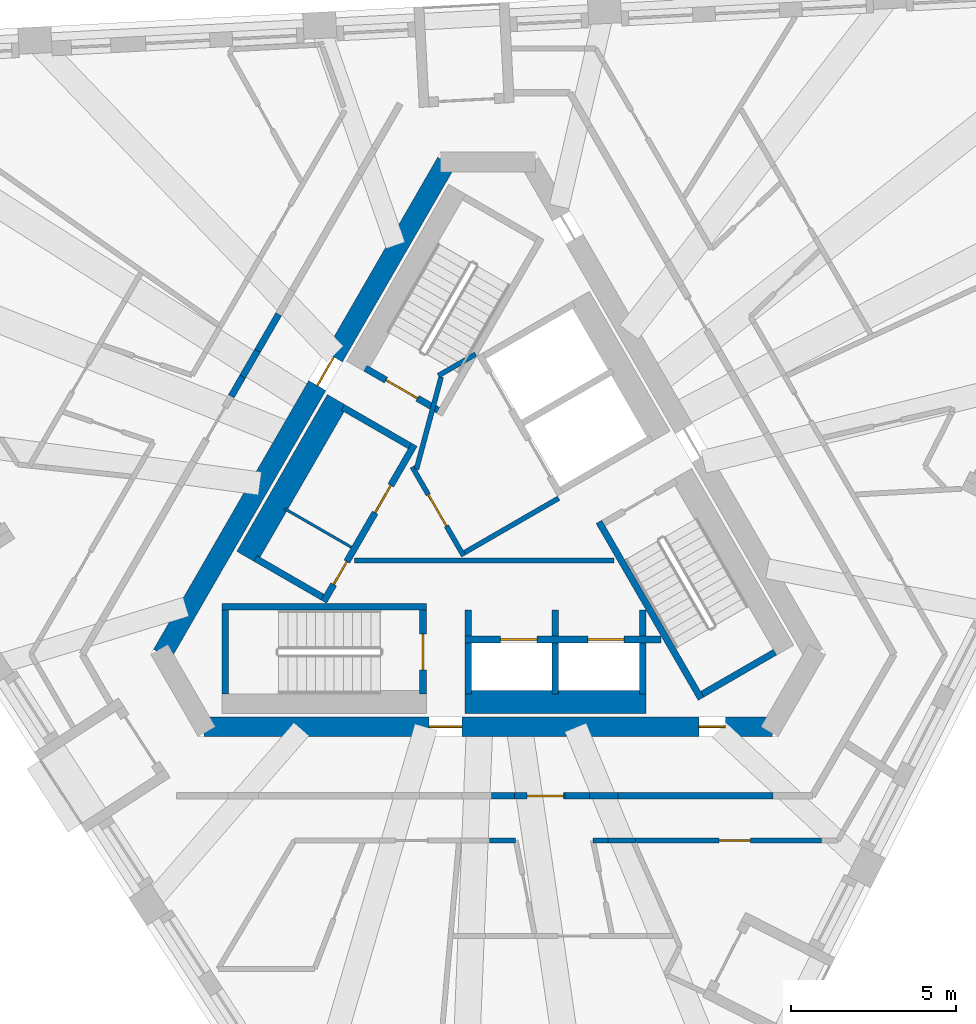
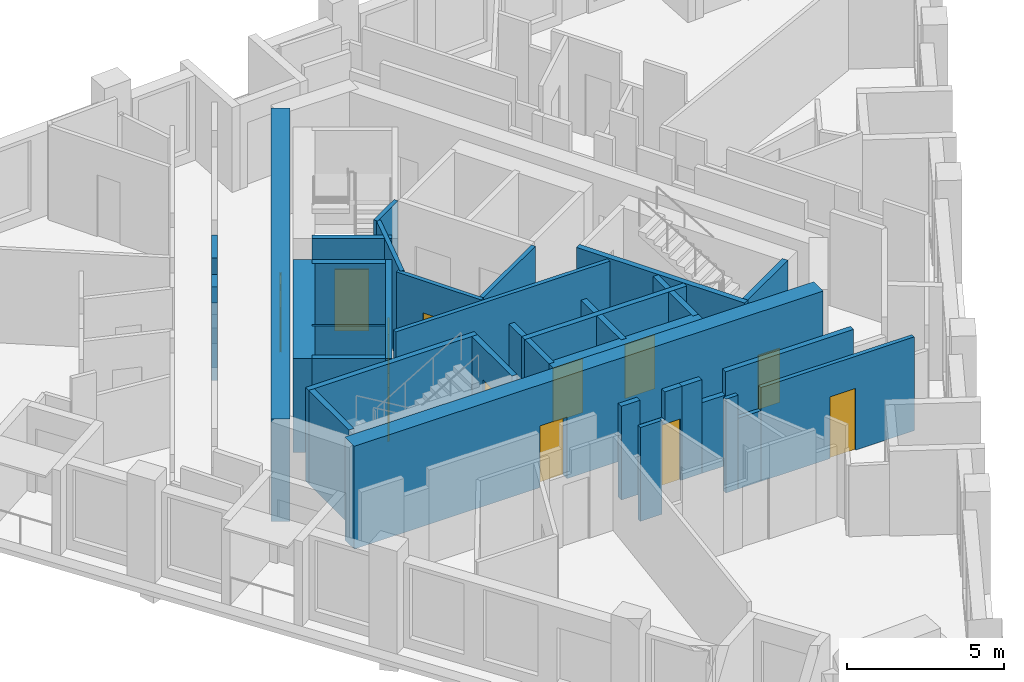
# One storey, part 4 of 13: 38 walls, 12 doors, 12 openings.
"""IFC4 building model written with IfcOpenShell, lengths in metres."""

from ifc_helpers import new_model, si_unit, direction, frame, frame_2d, origin, place, context, subcontext, project, spatial, polyline, rectangle, outline, extrude, material, layer, layer_set, type_object, element, fill, save


model = new_model("IFC4")

# Units and contexts
model_context = context("Model", 3, precision=1e-05, world=origin(), true_north=direction((0.0, 1.0)))
body_context = subcontext(model_context, "Body", "Model", "MODEL_VIEW")
ifc_project = project(units=[si_unit("LENGTHUNIT", "METRE"), si_unit("AREAUNIT", "SQUARE_METRE"), si_unit("VOLUMEUNIT", "CUBIC_METRE"), si_unit("PLANEANGLEUNIT", "RADIAN"), si_unit("MASSUNIT", "GRAM", prefix="KILO")], contexts=[model_context])

# Site, building, storey
site_placement = place(None, origin())
site = spatial("IfcSite", under=ifc_project, at=site_placement, CompositionType="ELEMENT")
building_placement = place(site_placement, origin())
building = spatial("IfcBuilding", under=site, at=building_placement, Name="Tramontana Tower", CompositionType="ELEMENT")
storey_placement = place(building_placement, frame((0.0, 0.0, 290.39990234375)))
storey = spatial("IfcBuildingStorey", under=building, at=storey_placement, Name="L68", CompositionType="ELEMENT", Elevation=290.39990234375)

# Wall, opening, door
ifc_material_1 = material(Name="Concrete 70 MPa", Category="concrete")
ifc_layer_1 = layer(ifc_material_1, 0.60009765625)
ifc_layer_set_1 = layer_set([ifc_layer_1], Name="Core wall 600 70 MPa")
wall_type_1 = type_object("IfcWallType", Name="Core wall 600 70 MPa", PredefinedType="SHEAR", material=ifc_layer_set_1)
wall_1_placement = place(storey_placement, frame((-1.270263671875, 10.699951171875, 0.0), z_axis=(0.0, 0.0, 1.0), x_axis=(-0.499999536116, -0.866025671608, 0.0)))
wall_1 = element("IfcWall", 1, at=wall_1_placement, inside=storey, type_object=wall_type_1, Name="Core wall C1 L68", PredefinedType="SHEAR", context=body_context, shape_type="SweptSolid", body=[
    extrude(rectangle(XDim=17.2626953125, YDim=0.60009765625, at=frame_2d((8.63134765625, 0.0))), origin(), (0.0, 0.0, 1.0), 4.0),
])
opening_1_placement = place(wall_1_placement, frame((6.83642578125, 0.0, 0.0)))
opening_1 = element("IfcOpeningElement", 2, at=opening_1_placement, cuts=wall_1, Name="Opening RG1", PredefinedType="OPENING", context=body_context, shape_type="SweptSolid", body=[
    extrude(rectangle(XDim=1.0, YDim=2.39990234375, at=frame_2d((0.5, 1.199951171875))), frame((0.0, 0.31005859375, 0.0), z_axis=(0.0, -1.0, 0.0), x_axis=(1.0, 0.0, 0.0)), (0.0, 0.0, 1.0), 0.6201171875),
])
ifc_material_2 = material(Name="Painted steel", Category="steel")
door_type_1 = type_object("IfcDoorType", Name="RING DOOR 1000", OperationType="SINGLE_SWING_LEFT", PredefinedType="DOOR", material=ifc_material_2)
door_1_placement = place(opening_1_placement, origin())
door_1 = element("IfcDoor", 3, at=door_1_placement, inside=storey, type_object=door_type_1, Name="Door RG1", OperationType="SINGLE_SWING_RIGHT", OverallHeight=2.39990234375, OverallWidth=1.0, PredefinedType="DOOR", context=body_context, shape_type="SweptSolid", body=[
    extrude(rectangle(XDim=1.0, YDim=2.39990234375, at=frame_2d((0.5, 1.199951171875))), frame((0.0, 0.02490234375, 0.0), z_axis=(0.0, -1.0, 0.0), x_axis=(1.0, 0.0, 0.0)), (0.0, 0.0, 1.0), 0.050048828125),
])
fill(opening_1, door_1)

# Wall, openings, doors
wall_2_placement = place(storey_placement, frame((-8.63134765625, -6.449951171875, 0.0), z_axis=(0.0, 0.0, 1.0), x_axis=(1.0, 0.0, 0.0)))
wall_2 = element("IfcWall", 4, at=wall_2_placement, inside=storey, type_object=wall_type_1, Name="Core wall C3 L68", PredefinedType="SHEAR", context=body_context, shape_type="SweptSolid", body=[
    extrude(rectangle(XDim=17.2626953125, YDim=0.60009765625, at=frame_2d((8.63134765625, 0.0))), origin(), (0.0, 0.0, 1.0), 4.0),
])
opening_2_placement = place(wall_2_placement, frame((6.83642578125, 0.0, 0.0)))
opening_2 = element("IfcOpeningElement", 5, at=opening_2_placement, cuts=wall_2, Name="Opening RG2", PredefinedType="OPENING", context=body_context, shape_type="SweptSolid", body=[
    extrude(rectangle(XDim=1.0, YDim=2.39990234375, at=frame_2d((0.5, 1.199951171875))), frame((0.0, 0.31005859375, 0.0), z_axis=(0.0, -1.0, 0.0), x_axis=(1.0, 0.0, 0.0)), (0.0, 0.0, 1.0), 0.6201171875),
])
opening_3_placement = place(wall_2_placement, frame((15.0341796875, 0.0, 0.0)))
opening_3 = element("IfcOpeningElement", 6, at=opening_3_placement, cuts=wall_2, Name="Opening PD2", PredefinedType="OPENING", context=body_context, shape_type="SweptSolid", body=[
    extrude(rectangle(XDim=0.800048828125, YDim=2.10009765625, at=frame_2d((0.39990234375, 1.050048828125))), frame((0.0, 0.31005859375, 0.0), z_axis=(0.0, -1.0, 0.0), x_axis=(1.0, 0.0, 0.0)), (0.0, 0.0, 1.0), 0.6201171875),
])
ifc_material_3 = material(Name="Painted steel", Category="steel")
door_type_2 = type_object("IfcDoorType", Name="CUPBOARD DOOR 800", OperationType="SINGLE_SWING_LEFT", PredefinedType="DOOR", material=ifc_material_3)
door_2_placement = place(opening_3_placement, origin())
door_2 = element("IfcDoor", 7, at=door_2_placement, inside=storey, type_object=door_type_2, Name="Door PD2", OperationType="SINGLE_SWING_LEFT", OverallHeight=2.10009765625, OverallWidth=0.800048828125, PredefinedType="DOOR", context=body_context, shape_type="SweptSolid", body=[
    extrude(rectangle(XDim=0.800048828125, YDim=2.10009765625, at=frame_2d((0.39990234375, 1.050048828125))), frame((0.0, 0.02490234375, 0.0), z_axis=(0.0, -1.0, 0.0), x_axis=(1.0, 0.0, 0.0)), (0.0, 0.0, 1.0), 0.050048828125),
])
fill(opening_3, door_2)
door_3_placement = place(opening_2_placement, origin())
door_3 = element("IfcDoor", 8, at=door_3_placement, inside=storey, type_object=door_type_1, Name="Door RG2", OperationType="SINGLE_SWING_LEFT", OverallHeight=2.39990234375, OverallWidth=1.0, PredefinedType="DOOR", context=body_context, shape_type="SweptSolid", body=[
    extrude(rectangle(XDim=1.0, YDim=2.39990234375, at=frame_2d((0.5, 1.199951171875))), frame((0.0, 0.02490234375, 0.0), z_axis=(0.0, -1.0, 0.0), x_axis=(1.0, 0.0, 0.0)), (0.0, 0.0, 1.0), 0.050048828125),
])
fill(opening_2, door_3)

# Walls
ifc_material_4 = material(Name="Blockwork", Category="masonry")
ifc_layer_2 = layer(ifc_material_4, 0.199951171875)
ifc_layer_set_2 = layer_set([ifc_layer_2], Name="ENTRY WALL 200")
wall_type_2 = type_object("IfcWallType", Name="ENTRY WALL 200", PredefinedType="SOLIDWALL", material=ifc_layer_set_2)
wall_3_placement = place(storey_placement, frame((8.6552734375, -8.550048828125, 0.0), z_axis=(0.0, 0.0, 1.0), x_axis=(-1.0, 0.0, 0.0)))
element("IfcWall", 9, at=wall_3_placement, inside=storey, type_object=wall_type_2, Name="Wall v71-ew1-1", PredefinedType="SOLIDWALL", context=body_context, shape_type="SweptSolid", body=[
    extrude(rectangle(XDim=4.71728515625, YDim=0.199951171875, at=frame_2d((2.358642578125, 0.0))), origin(), (0.0, 0.0, 1.0), 3.650146484375),
])
wall_4_placement = place(storey_placement, frame((3.93798828125, -8.550048828125, 0.0), z_axis=(0.0, 0.0, 1.0), x_axis=(-1.0, 0.0, 0.0)))
element("IfcWall", 10, at=wall_4_placement, inside=storey, type_object=wall_type_2, Name="Wall v71-ew1-2", PredefinedType="SOLIDWALL", context=body_context, shape_type="SweptSolid", body=[
    extrude(rectangle(XDim=0.864501953125, YDim=0.199951171875, at=frame_2d((0.43212890625, 0.0))), origin(), (0.0, 0.0, 1.0), 2.75),
])
wall_5_placement = place(storey_placement, frame((3.073486328125, -8.550048828125, 0.0), z_axis=(0.0, 0.0, 1.0), x_axis=(-1.0, 0.0, 0.0)))
element("IfcWall", 11, at=wall_5_placement, inside=storey, type_object=wall_type_2, Name="Wall v71-ew1-3", PredefinedType="SOLIDWALL", context=body_context, shape_type="SweptSolid", body=[
    extrude(rectangle(XDim=0.73828125, YDim=0.199951171875, at=frame_2d((0.369140625, 0.0))), origin(), (0.0, 0.0, 1.0), 3.650146484375),
])

# Wall, opening, door
wall_6_placement = place(storey_placement, frame((2.335205078125, -8.550048828125, 0.0), z_axis=(0.0, 0.0, 1.0), x_axis=(-1.0, 0.0, 0.0)))
wall_6 = element("IfcWall", 12, at=wall_6_placement, inside=storey, type_object=wall_type_2, Name="Wall v71-ew1-4", PredefinedType="SOLIDWALL", context=body_context, shape_type="SweptSolid", body=[
    extrude(outline(polyline([(0.0, 0.0), (1.5400390625, 0.0), (1.5400390625, 2.550048828125), (0.63037109375, 2.550048828125), (0.63037109375, 3.650146484375), (0.0, 3.650146484375), (0.0, 0.0)])), frame((0.0, 0.10009765625, 0.0), z_axis=(0.0, -1.0, 0.0), x_axis=(1.0, 0.0, 0.0)), (0.0, 0.0, 1.0), 0.199951171875),
])
opening_4_placement = place(wall_6_placement, frame((0.050048828125, 0.0, 0.0)))
opening_4 = element("IfcOpeningElement", 13, at=opening_4_placement, cuts=wall_6, Name="Opening B7B-21", PredefinedType="OPENING", context=body_context, shape_type="SweptSolid", body=[
    extrude(rectangle(XDim=1.10009765625, YDim=2.39990234375, at=frame_2d((0.550048828125, 1.199951171875))), frame((0.0, 0.10986328125, 0.0), z_axis=(0.0, -1.0, 0.0), x_axis=(1.0, 0.0, 0.0)), (0.0, 0.0, 1.0), 0.219970703125),
])
ifc_material_5 = material(Name="Painted timber", Category="wood")
door_type_3 = type_object("IfcDoorType", Name="DOOR ENTRY 1100", OperationType="SINGLE_SWING_LEFT", PredefinedType="DOOR", material=ifc_material_5)
door_4_placement = place(opening_4_placement, origin())
door_4 = element("IfcDoor", 14, at=door_4_placement, inside=storey, type_object=door_type_3, Name="Door B7B-21", OperationType="SINGLE_SWING_LEFT", OverallHeight=2.39990234375, OverallWidth=1.10009765625, PredefinedType="DOOR", context=body_context, shape_type="SweptSolid", body=[
    extrude(rectangle(XDim=1.10009765625, YDim=2.39990234375, at=frame_2d((0.550048828125, 1.199951171875))), frame((0.0, 0.02490234375, 0.0), z_axis=(0.0, -1.0, 0.0), x_axis=(1.0, 0.0, 0.0)), (0.0, 0.0, 1.0), 0.050048828125),
])
fill(opening_4, door_4)

# Walls
wall_7_placement = place(storey_placement, frame((0.795166015625, -8.550048828125, 0.0), z_axis=(0.0, 0.0, 1.0), x_axis=(-1.0, 0.0, 0.0)))
element("IfcWall", 15, at=wall_7_placement, inside=storey, type_object=wall_type_2, Name="Wall v71-ew1-5", PredefinedType="SOLIDWALL", context=body_context, shape_type="SweptSolid", body=[
    extrude(rectangle(XDim=0.69091796875, YDim=0.199951171875, at=frame_2d((0.345458984375, 0.0))), origin(), (0.0, 0.0, 1.0), 3.650146484375),
])
wall_8_placement = place(storey_placement, frame((-7.80224609375, 3.586181640625, 0.0), z_axis=(0.0, 0.0, 1.0), x_axis=(0.500242282693, 0.865885476611, 0.0)))
element("IfcWall", 16, at=wall_8_placement, inside=storey, type_object=wall_type_2, Name="Wall v71-ew3-5", PredefinedType="SOLIDWALL", context=body_context, shape_type="SweptSolid", body=[
    extrude(rectangle(XDim=0.691162109375, YDim=0.199951171875, at=frame_2d((0.345703125, 0.0))), origin(), (0.0, 0.0, 1.0), 3.650146484375),
])
wall_9_placement = place(storey_placement, frame((-7.45654296875, 4.1845703125, 0.0), z_axis=(0.0, 0.0, 1.0), x_axis=(0.499753735824, 0.866167537795, 0.0)))
element("IfcWall", 17, at=wall_9_placement, inside=storey, type_object=wall_type_2, Name="Wall v71-ew3-6", PredefinedType="SOLIDWALL", context=body_context, shape_type="SweptSolid", body=[
    extrude(rectangle(XDim=0.90087890625, YDim=0.199951171875, at=frame_2d((0.450439453125, 0.0))), origin(), (0.0, 0.0, 1.0), 2.550048828125),
])
wall_10_placement = place(storey_placement, frame((-7.00634765625, 4.96484375, 0.0), z_axis=(0.0, 0.0, 1.0), x_axis=(0.500018234033, 0.866014876105, 0.0)))
element("IfcWall", 18, at=wall_10_placement, inside=storey, type_object=wall_type_2, Name="Wall v71-ew3-7", PredefinedType="SOLIDWALL", context=body_context, shape_type="SweptSolid", body=[
    extrude(rectangle(XDim=1.2861328125, YDim=0.199951171875, at=frame_2d((0.64306640625, 0.0))), origin(), (0.0, 0.0, 1.0), 3.650146484375),
])

# Wall, opening, door
ifc_material_6 = material(Name="Gypsum board partition")
ifc_layer_3 = layer(ifc_material_6, 0.14990234375)
ifc_layer_set_3 = layer_set([ifc_layer_3], Name="PARTITION 150")
wall_type_3 = type_object("IfcWallType", Name="PARTITION 150", PredefinedType="PARTITIONING", material=ifc_layer_set_3)
wall_11_placement = place(storey_placement, frame((-0.744140625, -1.260986328125, 0.0), z_axis=(0.0, 0.0, 1.0), x_axis=(-0.500004234368, 0.866022959057, 0.0)))
wall_11 = element("IfcWall", 19, at=wall_11_placement, inside=storey, type_object=wall_type_3, Name="Wall ff-front", PredefinedType="PARTITIONING", context=body_context, shape_type="SweptSolid", body=[
    extrude(rectangle(XDim=3.125, YDim=0.14990234375, at=frame_2d((1.5625, 0.0))), origin(), (0.0, 0.0, 1.0), 3.650146484375),
])
opening_5_placement = place(wall_11_placement, frame((1.050048828125, 0.0, 0.0)))
opening_5 = element("IfcOpeningElement", 20, at=opening_5_placement, cuts=wall_11, Name="Opening FD1", PredefinedType="OPENING", context=body_context, shape_type="SweptSolid", body=[
    extrude(rectangle(XDim=1.10009765625, YDim=2.39990234375, at=frame_2d((0.550048828125, 1.199951171875))), frame((0.0, 0.0849609375, 0.0), z_axis=(0.0, -1.0, 0.0), x_axis=(1.0, 0.0, 0.0)), (0.0, 0.0, 1.0), 0.169921875),
])
door_5_placement = place(opening_5_placement, origin())
door_5 = element("IfcDoor", 21, at=door_5_placement, inside=storey, type_object=door_type_3, Name="Door FD1", OperationType="SINGLE_SWING_LEFT", OverallHeight=2.39990234375, OverallWidth=1.10009765625, PredefinedType="DOOR", context=body_context, shape_type="SweptSolid", body=[
    extrude(rectangle(XDim=1.10009765625, YDim=2.39990234375, at=frame_2d((0.550048828125, 1.199951171875))), frame((0.0, 0.02490234375, 0.0), z_axis=(0.0, -1.0, 0.0), x_axis=(1.0, 0.0, 0.0)), (0.0, 0.0, 1.0), 0.050048828125),
])
fill(opening_5, door_5)

# Walls
wall_12_placement = place(storey_placement, frame((-0.716796875, -1.15869140625, 0.0), z_axis=(0.0, 0.0, 1.0), x_axis=(0.866008176907, 0.50002983664, 0.0)))
element("IfcWall", 22, at=wall_12_placement, inside=storey, type_object=wall_type_3, Name="Wall ff-end0", PredefinedType="PARTITIONING", context=body_context, shape_type="SweptSolid", body=[
    extrude(rectangle(XDim=3.300048828125, YDim=0.14990234375, at=frame_2d((1.64990234375, 0.0))), origin(), (0.0, 0.0, 1.0), 3.650146484375),
])
wall_13_placement = place(storey_placement, frame((-2.177978515625, 1.372314453125, 0.0), z_axis=(0.0, 0.0, 1.0), x_axis=(0.258808958833, 0.96592852884, 0.0)))
element("IfcWall", 23, at=wall_13_placement, inside=storey, type_object=wall_type_3, Name="Wall ff-diag", PredefinedType="PARTITIONING", context=body_context, shape_type="SweptSolid", body=[
    extrude(rectangle(XDim=2.902587890625, YDim=0.14990234375, at=frame_2d((1.451171875, 0.0))), origin(), (0.0, 0.0, 1.0), 3.650146484375),
])
wall_14_placement = place(storey_placement, frame((-1.509765625, 4.21484375, 0.0), z_axis=(0.0, 0.0, 1.0), x_axis=(0.866085525409, 0.49989585183, 0.0)))
element("IfcWall", 24, at=wall_14_placement, inside=storey, type_object=wall_type_3, Name="Wall ff-end1", PredefinedType="PARTITIONING", context=body_context, shape_type="SweptSolid", body=[
    extrude(rectangle(XDim=1.300048828125, YDim=0.14990234375, at=frame_2d((0.64990234375, 0.0))), origin(), (0.0, 0.0, 1.0), 3.650146484375),
])
wall_15_placement = place(storey_placement, frame((-4.053466796875, -1.39990234375, 0.0), z_axis=(0.0, 0.0, 1.0), x_axis=(1.0, 0.0, 0.0)))
element("IfcWall", 25, at=wall_15_placement, inside=storey, type_object=wall_type_3, Name="Wall hub-cut1", PredefinedType="PARTITIONING", context=body_context, shape_type="SweptSolid", body=[
    extrude(rectangle(XDim=7.8759765625, YDim=0.14990234375, at=frame_2d((3.93798828125, 0.0))), origin(), (0.0, 0.0, 1.0), 3.650146484375),
])
wall_16_placement = place(storey_placement, frame((0.83251953125, -9.89990234375, 0.0), z_axis=(0.0, 0.0, 1.0), x_axis=(-1.0, 0.0, 0.0)))
element("IfcWall", 26, at=wall_16_placement, inside=storey, type_object=wall_type_3, Name="Wall v71-pw21-0", PredefinedType="PARTITIONING", context=body_context, shape_type="SweptSolid", body=[
    extrude(rectangle(XDim=0.79541015625, YDim=0.14990234375, at=frame_2d((0.397705078125, 0.0))), origin(), (0.0, 0.0, 1.0), 3.650146484375),
])

# Wall, opening, door
wall_17_placement = place(storey_placement, frame((10.121337890625, -9.89990234375, 0.0), z_axis=(0.0, 0.0, 1.0), x_axis=(-1.0, 0.0, 0.0)))
wall_17 = element("IfcWall", 27, at=wall_17_placement, inside=storey, type_object=wall_type_3, Name="Wall v71-pw36-1", PredefinedType="PARTITIONING", context=body_context, shape_type="SweptSolid", body=[
    extrude(rectangle(XDim=5.643310546875, YDim=0.14990234375, at=frame_2d((2.82177734375, 0.0))), origin(), (0.0, 0.0, 1.0), 3.650146484375),
])
opening_6_placement = place(wall_17_placement, frame((2.158447265625, 0.0, 0.0)))
opening_6 = element("IfcOpeningElement", 28, at=opening_6_placement, cuts=wall_17, Name="Opening B7B-11", PredefinedType="OPENING", context=body_context, shape_type="SweptSolid", body=[
    extrude(rectangle(XDim=0.949951171875, YDim=2.39990234375, at=frame_2d((0.47509765625, 1.199951171875))), frame((0.0, 0.0849609375, 0.0), z_axis=(0.0, -1.0, 0.0), x_axis=(1.0, 0.0, 0.0)), (0.0, 0.0, 1.0), 0.169921875),
])
ifc_material_7 = material(Name="Painted timber", Category="wood")
door_type_4 = type_object("IfcDoorType", Name="DOOR ROOM 950", OperationType="SINGLE_SWING_LEFT", PredefinedType="DOOR", material=ifc_material_7)
door_6_placement = place(opening_6_placement, origin())
door_6 = element("IfcDoor", 29, at=door_6_placement, inside=storey, type_object=door_type_4, Name="Door B7B-11", OperationType="SINGLE_SWING_LEFT", OverallHeight=2.39990234375, OverallWidth=0.949951171875, PredefinedType="DOOR", context=body_context, shape_type="SweptSolid", body=[
    extrude(rectangle(XDim=0.949951171875, YDim=2.39990234375, at=frame_2d((0.47509765625, 1.199951171875))), frame((0.0, 0.02490234375, 0.0), z_axis=(0.0, -1.0, 0.0), x_axis=(1.0, 0.0, 0.0)), (0.0, 0.0, 1.0), 0.050048828125),
])
fill(opening_6, door_6)

# Walls
wall_18_placement = place(storey_placement, frame((4.47802734375, -9.89990234375, 0.0), z_axis=(0.0, 0.0, 1.0), x_axis=(-1.0, 0.0, 0.0)))
element("IfcWall", 30, at=wall_18_placement, inside=storey, type_object=wall_type_3, Name="Wall v71-pw36-2", PredefinedType="PARTITIONING", context=body_context, shape_type="SweptSolid", body=[
    extrude(rectangle(XDim=0.837646484375, YDim=0.14990234375, at=frame_2d((0.4189453125, 0.0))), origin(), (0.0, 0.0, 1.0), 2.75),
])
wall_19_placement = place(storey_placement, frame((3.640380859375, -9.89990234375, 0.0), z_axis=(0.0, 0.0, 1.0), x_axis=(-1.0, 0.0, 0.0)))
element("IfcWall", 31, at=wall_19_placement, inside=storey, type_object=wall_type_3, Name="Wall v71-pw36-3", PredefinedType="PARTITIONING", context=body_context, shape_type="SweptSolid", body=[
    extrude(rectangle(XDim=0.45263671875, YDim=0.14990234375, at=frame_2d((0.226318359375, 0.0))), origin(), (0.0, 0.0, 1.0), 3.650146484375),
])
ifc_material_8 = material(Name="Gypsum board partition")
ifc_layer_4 = layer(ifc_material_8, 0.080078125)
ifc_layer_set_4 = layer_set([ifc_layer_4], Name="PARTITION 80")
wall_type_4 = type_object("IfcWallType", Name="PARTITION 80", PredefinedType="PARTITIONING", material=ifc_layer_set_4)
wall_20_placement = place(storey_placement, frame((-4.15478515625, -0.99609375, 0.0), z_axis=(0.0, 0.0, 1.0), x_axis=(-0.866016039709, 0.500016218704, 0.0)))
element("IfcWall", 32, at=wall_20_placement, inside=storey, type_object=wall_type_4, Name="Wall row0-split", PredefinedType="PARTITIONING", context=body_context, shape_type="SweptSolid", body=[
    extrude(rectangle(XDim=2.35009765625, YDim=0.080078125, at=frame_2d((1.175048828125, 0.0))), origin(), (0.0, 0.0, 1.0), 3.650146484375),
])
ifc_material_9 = material(Name="Concrete 70 MPa", Category="concrete")
ifc_layer_5 = layer(ifc_material_9, 0.699951171875)
ifc_layer_set_5 = layer_set([ifc_layer_5], Name="Concrete 70 MPa, 700 mm")
wall_type_5 = type_object("IfcWallType", Name="RC SHAFT BACK WALL 700", PredefinedType="SOLIDWALL", material=ifc_layer_set_5)
for number, where, z_axis, x_axis, name in (
    (33, (-4.581298828125, 3.46484375, 0.0), (0.0, 0.0, 1.0), (-0.499996545922, -0.866027397988, 0.0), "Wall row0-back"),
    (34, (-0.7099609375, -5.699951171875, 0.0), (0.0, 0.0, 1.0), (1.0, 0.0, 0.0), "Wall row1-back"),
):
    element("IfcWall", number, at=place(storey_placement, frame(where, z_axis=z_axis, x_axis=x_axis)), inside=storey, type_object=wall_type_5, Name=name, PredefinedType="SOLIDWALL", context=body_context, shape_type="SweptSolid", body=[
        extrude(rectangle(XDim=5.5, YDim=0.699951171875, at=frame_2d((2.75, 0.0))), origin(), (0.0, 0.0, 1.0), 3.650146484375),
    ])

# Wall, opening, door
ifc_material_10 = material(Name="Concrete 70 MPa", Category="concrete")
ifc_layer_6 = layer(ifc_material_10, 0.199951171875)
ifc_layer_set_6 = layer_set([ifc_layer_6], Name="Concrete 70 MPa, 200 mm")
wall_type_6 = type_object("IfcWallType", Name="RC STAIR AND SHAFT WALL 200", PredefinedType="SOLIDWALL", material=ifc_layer_set_6)
wall_21_placement = place(storey_placement, frame((-1.521484375, 3.164794921875, 0.0), z_axis=(0.0, 0.0, 1.0), x_axis=(-0.866030925526, 0.499990435942, 0.0)))
wall_21 = element("IfcWall", 35, at=wall_21_placement, inside=storey, type_object=wall_type_6, Name="Wall st1-near", PredefinedType="SOLIDWALL", context=body_context, shape_type="SweptSolid", body=[
    extrude(rectangle(XDim=2.5498046875, YDim=0.199951171875, at=frame_2d((1.27490234375, 0.0))), origin(), (0.0, 0.0, 1.0), 3.650146484375),
])
opening_7_placement = place(wall_21_placement, frame((0.72509765625, 0.0, 0.0)))
opening_7 = element("IfcOpeningElement", 36, at=opening_7_placement, cuts=wall_21, Name="Opening SD1", PredefinedType="OPENING", context=body_context, shape_type="SweptSolid", body=[
    extrude(rectangle(XDim=1.10009765625, YDim=2.39990234375, at=frame_2d((0.550048828125, 1.199951171875))), frame((0.0, 0.10986328125, 0.0), z_axis=(0.0, -1.0, 0.0), x_axis=(1.0, 0.0, 0.0)), (0.0, 0.0, 1.0), 0.219970703125),
])
ifc_material_11 = material(Name="Painted steel", Category="steel")
door_type_5 = type_object("IfcDoorType", Name="STAIR DOOR 1100", OperationType="SINGLE_SWING_LEFT", PredefinedType="DOOR", material=ifc_material_11)
door_7_placement = place(opening_7_placement, origin())
door_7 = element("IfcDoor", 37, at=door_7_placement, inside=storey, type_object=door_type_5, Name="Door SD1", OperationType="SINGLE_SWING_RIGHT", OverallHeight=2.39990234375, OverallWidth=1.10009765625, PredefinedType="DOOR", context=body_context, shape_type="SweptSolid", body=[
    extrude(rectangle(XDim=1.10009765625, YDim=2.39990234375, at=frame_2d((0.550048828125, 1.199951171875))), frame((0.0, 0.02490234375, 0.0), z_axis=(0.0, -1.0, 0.0), x_axis=(1.0, 0.0, 0.0)), (0.0, 0.0, 1.0), 0.050048828125),
])
fill(opening_7, door_7)

# Walls
wall_22_placement = place(storey_placement, frame((-8.080078125, -2.800048828125, 0.0), z_axis=(0.0, 0.0, 1.0), x_axis=(1.0, 0.0, 0.0)))
element("IfcWall", 38, at=wall_22_placement, inside=storey, type_object=wall_type_6, Name="Wall st2-front", PredefinedType="SOLIDWALL", context=body_context, shape_type="SweptSolid", body=[
    extrude(rectangle(XDim=6.2001953125, YDim=0.199951171875, at=frame_2d((3.10009765625, 0.0))), origin(), (0.0, 0.0, 1.0), 3.650146484375),
])
wall_23_placement = place(storey_placement, frame((-7.97998046875, -2.89990234375, 0.0), z_axis=(0.0, 0.0, 1.0), x_axis=(0.0, -1.0, 0.0)))
element("IfcWall", 39, at=wall_23_placement, inside=storey, type_object=wall_type_6, Name="Wall st2-far", PredefinedType="SOLIDWALL", context=body_context, shape_type="SweptSolid", body=[
    extrude(rectangle(XDim=2.550048828125, YDim=0.199951171875, at=frame_2d((1.27490234375, 0.0))), origin(), (0.0, 0.0, 1.0), 3.650146484375),
])

# Wall, opening, door
wall_24_placement = place(storey_placement, frame((-1.97998046875, -2.89990234375, 0.0), z_axis=(0.0, 0.0, 1.0), x_axis=(0.0, -1.0, 0.0)))
wall_24 = element("IfcWall", 40, at=wall_24_placement, inside=storey, type_object=wall_type_6, Name="Wall st2-near", PredefinedType="SOLIDWALL", context=body_context, shape_type="SweptSolid", body=[
    extrude(rectangle(XDim=2.550048828125, YDim=0.199951171875, at=frame_2d((1.27490234375, 0.0))), origin(), (0.0, 0.0, 1.0), 3.650146484375),
])
opening_8_placement = place(wall_24_placement, frame((0.72509765625, 0.0, 0.0)))
opening_8 = element("IfcOpeningElement", 41, at=opening_8_placement, cuts=wall_24, Name="Opening SD2", PredefinedType="OPENING", context=body_context, shape_type="SweptSolid", body=[
    extrude(rectangle(XDim=1.10009765625, YDim=2.39990234375, at=frame_2d((0.550048828125, 1.199951171875))), frame((0.0, 0.10986328125, 0.0), z_axis=(0.0, -1.0, 0.0), x_axis=(1.0, 0.0, 0.0)), (0.0, 0.0, 1.0), 0.219970703125),
])
door_8_placement = place(opening_8_placement, origin())
door_8 = element("IfcDoor", 42, at=door_8_placement, inside=storey, type_object=door_type_5, Name="Door SD2", OperationType="SINGLE_SWING_LEFT", OverallHeight=2.39990234375, OverallWidth=1.10009765625, PredefinedType="DOOR", context=body_context, shape_type="SweptSolid", body=[
    extrude(rectangle(XDim=1.10009765625, YDim=2.39990234375, at=frame_2d((0.550048828125, 1.199951171875))), frame((0.0, 0.02490234375, 0.0), z_axis=(0.0, -1.0, 0.0), x_axis=(1.0, 0.0, 0.0)), (0.0, 0.0, 1.0), 0.050048828125),
])
fill(opening_8, door_8)

# Walls
wall_25_placement = place(storey_placement, frame((6.46484375, -5.597412109375, 0.0), z_axis=(0.0, 0.0, 1.0), x_axis=(-0.49998037582, 0.866036733513, 0.0)))
element("IfcWall", 43, at=wall_25_placement, inside=storey, type_object=wall_type_6, Name="Wall st3-front", PredefinedType="SOLIDWALL", context=body_context, shape_type="SweptSolid", body=[
    extrude(rectangle(XDim=6.199951171875, YDim=0.199951171875, at=frame_2d((3.10009765625, 0.0))), origin(), (0.0, 0.0, 1.0), 3.650146484375),
])
wall_26_placement = place(storey_placement, frame((6.50146484375, -5.4609375, 0.0), z_axis=(0.0, 0.0, 1.0), x_axis=(0.865989465428, 0.500062241894, 0.0)))
element("IfcWall", 44, at=wall_26_placement, inside=storey, type_object=wall_type_6, Name="Wall st3-far", PredefinedType="SOLIDWALL", context=body_context, shape_type="SweptSolid", body=[
    extrude(rectangle(XDim=2.550048828125, YDim=0.199951171875, at=frame_2d((1.27490234375, 0.0))), origin(), (0.0, 0.0, 1.0), 3.650146484375),
])

# Wall, openings, doors
wall_27_placement = place(storey_placement, frame((-4.9931640625, -2.648193359375, 0.0), z_axis=(0.0, 0.0, 1.0), x_axis=(0.499996545922, 0.866027397988, 0.0)))
wall_27 = element("IfcWall", 45, at=wall_27_placement, inside=storey, type_object=wall_type_6, Name="Wall row0-front", PredefinedType="SOLIDWALL", context=body_context, shape_type="SweptSolid", body=[
    extrude(rectangle(XDim=5.5, YDim=0.199951171875, at=frame_2d((2.75, 0.0))), origin(), (0.0, 0.0, 1.0), 3.650146484375),
])
opening_9_placement = place(wall_27_placement, frame((3.1201171875, 0.0, 0.0)))
opening_9 = element("IfcOpeningElement", 46, at=opening_9_placement, cuts=wall_27, Name="Opening RD-0A", PredefinedType="OPENING", context=body_context, shape_type="SweptSolid", body=[
    extrude(rectangle(XDim=0.949951171875, YDim=2.39990234375, at=frame_2d((0.47509765625, 1.199951171875))), frame((0.0, 0.10986328125, 0.0), z_axis=(0.0, -1.0, 0.0), x_axis=(1.0, 0.0, 0.0)), (0.0, 0.0, 1.0), 0.219970703125),
])
opening_10_placement = place(wall_27_placement, frame((0.60498046875, 0.0, 0.0)))
opening_10 = element("IfcOpeningElement", 47, at=opening_10_placement, cuts=wall_27, Name="Opening RD-0B", PredefinedType="OPENING", context=body_context, shape_type="SweptSolid", body=[
    extrude(rectangle(XDim=0.800048828125, YDim=2.10009765625, at=frame_2d((0.39990234375, 1.050048828125))), frame((0.0, 0.10986328125, 0.0), z_axis=(0.0, -1.0, 0.0), x_axis=(1.0, 0.0, 0.0)), (0.0, 0.0, 1.0), 0.219970703125),
])
door_9_placement = place(opening_10_placement, origin())
door_9 = element("IfcDoor", 48, at=door_9_placement, inside=storey, type_object=door_type_2, Name="Door RD-0B", OperationType="SINGLE_SWING_RIGHT", OverallHeight=2.10009765625, OverallWidth=0.800048828125, PredefinedType="DOOR", context=body_context, shape_type="SweptSolid", body=[
    extrude(rectangle(XDim=0.800048828125, YDim=2.10009765625, at=frame_2d((0.39990234375, 1.050048828125))), frame((0.0, 0.02490234375, 0.0), z_axis=(0.0, -1.0, 0.0), x_axis=(1.0, 0.0, 0.0)), (0.0, 0.0, 1.0), 0.050048828125),
])
fill(opening_10, door_9)
door_10_placement = place(opening_9_placement, origin())
door_10 = element("IfcDoor", 49, at=door_10_placement, inside=storey, type_object=door_type_4, Name="Door RD-0A", OperationType="SINGLE_SWING_LEFT", OverallHeight=2.39990234375, OverallWidth=0.949951171875, PredefinedType="DOOR", context=body_context, shape_type="SweptSolid", body=[
    extrude(rectangle(XDim=0.949951171875, YDim=2.39990234375, at=frame_2d((0.47509765625, 1.199951171875))), frame((0.0, 0.02490234375, 0.0), z_axis=(0.0, -1.0, 0.0), x_axis=(1.0, 0.0, 0.0)), (0.0, 0.0, 1.0), 0.050048828125),
])
fill(opening_9, door_10)

# Walls
wall_28_placement = place(storey_placement, frame((-2.379638671875, 2.078369140625, 0.0), z_axis=(0.0, 0.0, 1.0), x_axis=(-0.866061024631, 0.499938297808, 0.0)))
element("IfcWall", 50, at=wall_28_placement, inside=storey, type_object=wall_type_6, Name="Wall row0-side0", PredefinedType="SOLIDWALL", context=body_context, shape_type="SweptSolid", body=[
    extrude(rectangle(XDim=2.349853515625, YDim=0.199951171875, at=frame_2d((1.1748046875, 0.0))), origin(), (0.0, 0.0, 1.0), 3.650146484375),
])
wall_29_placement = place(storey_placement, frame((-5.02978515625, -2.51171875, 0.0), z_axis=(0.0, 0.0, 1.0), x_axis=(-0.866016039709, 0.500016218704, 0.0)))
element("IfcWall", 51, at=wall_29_placement, inside=storey, type_object=wall_type_6, Name="Wall row0-side2", PredefinedType="SOLIDWALL", context=body_context, shape_type="SweptSolid", body=[
    extrude(rectangle(XDim=2.35009765625, YDim=0.199951171875, at=frame_2d((1.175048828125, 0.0))), origin(), (0.0, 0.0, 1.0), 3.650146484375),
])

# Wall, openings, doors
wall_30_placement = place(storey_placement, frame((-0.7099609375, -3.800048828125, 0.0), z_axis=(0.0, 0.0, 1.0), x_axis=(1.0, 0.0, 0.0)))
wall_30 = element("IfcWall", 52, at=wall_30_placement, inside=storey, type_object=wall_type_6, Name="Wall row1-front", PredefinedType="SOLIDWALL", context=body_context, shape_type="SweptSolid", body=[
    extrude(rectangle(XDim=5.96142578125, YDim=0.199951171875, at=frame_2d((2.980712890625, 0.0))), origin(), (0.0, 0.0, 1.0), 3.650146484375),
])
opening_11_placement = place(wall_30_placement, frame((1.090087890625, 0.0, 0.0)))
opening_11 = element("IfcOpeningElement", 53, at=opening_11_placement, cuts=wall_30, Name="Opening LD-S1", PredefinedType="OPENING", context=body_context, shape_type="SweptSolid", body=[
    extrude(rectangle(XDim=1.10009765625, YDim=2.10009765625, at=frame_2d((0.550048828125, 1.050048828125))), frame((0.0, 0.10986328125, 0.0), z_axis=(0.0, -1.0, 0.0), x_axis=(1.0, 0.0, 0.0)), (0.0, 0.0, 1.0), 0.219970703125),
])
opening_12_placement = place(wall_30_placement, frame((3.739990234375, 0.0, 0.0)))
opening_12 = element("IfcOpeningElement", 54, at=opening_12_placement, cuts=wall_30, Name="Opening LD-S2", PredefinedType="OPENING", context=body_context, shape_type="SweptSolid", body=[
    extrude(rectangle(XDim=1.10009765625, YDim=2.10009765625, at=frame_2d((0.550048828125, 1.050048828125))), frame((0.0, 0.10986328125, 0.0), z_axis=(0.0, -1.0, 0.0), x_axis=(1.0, 0.0, 0.0)), (0.0, 0.0, 1.0), 0.219970703125),
])
ifc_material_12 = material(Name="Brushed steel", Category="steel")
door_type_6 = type_object("IfcDoorType", Name="LANDING DOOR 1100", OperationType="SINGLE_SWING_LEFT", PredefinedType="DOOR", material=ifc_material_12)
door_11_placement = place(opening_11_placement, origin())
door_11 = element("IfcDoor", 55, at=door_11_placement, inside=storey, type_object=door_type_6, Name="Door LD-S1", OperationType="SLIDING_TO_LEFT", OverallHeight=2.10009765625, OverallWidth=1.10009765625, PredefinedType="DOOR", context=body_context, shape_type="SweptSolid", body=[
    extrude(rectangle(XDim=1.10009765625, YDim=2.10009765625, at=frame_2d((0.550048828125, 1.050048828125))), frame((0.0, 0.02490234375, 0.0), z_axis=(0.0, -1.0, 0.0), x_axis=(1.0, 0.0, 0.0)), (0.0, 0.0, 1.0), 0.050048828125),
])
fill(opening_11, door_11)
door_12_placement = place(opening_12_placement, origin())
door_12 = element("IfcDoor", 56, at=door_12_placement, inside=storey, type_object=door_type_6, Name="Door LD-S2", OperationType="SLIDING_TO_RIGHT", OverallHeight=2.10009765625, OverallWidth=1.10009765625, PredefinedType="DOOR", context=body_context, shape_type="SweptSolid", body=[
    extrude(rectangle(XDim=1.10009765625, YDim=2.10009765625, at=frame_2d((0.550048828125, 1.050048828125))), frame((0.0, 0.02490234375, 0.0), z_axis=(0.0, -1.0, 0.0), x_axis=(1.0, 0.0, 0.0)), (0.0, 0.0, 1.0), 0.050048828125),
])
fill(opening_12, door_12)

# Walls
wall_31_placement = place(storey_placement, frame((-0.610107421875, -3.89990234375, 0.0), z_axis=(0.0, 0.0, 1.0), x_axis=(0.0, -1.0, 0.0)))
element("IfcWall", 57, at=wall_31_placement, inside=storey, type_object=wall_type_6, Name="Wall row1-side0", PredefinedType="SOLIDWALL", context=body_context, shape_type="SweptSolid", body=[
    extrude(rectangle(XDim=1.550048828125, YDim=0.199951171875, at=frame_2d((0.77490234375, 0.0))), origin(), (0.0, 0.0, 1.0), 3.650146484375),
])
wall_32_placement = place(storey_placement, frame((-0.610107421875, -2.89990234375, 0.0), z_axis=(0.0, 0.0, 1.0), x_axis=(0.0, -1.0, 0.0)))
element("IfcWall", 58, at=wall_32_placement, inside=storey, type_object=wall_type_6, Name="Wall row1-side0-ret", PredefinedType="SOLIDWALL", context=body_context, shape_type="SweptSolid", body=[
    extrude(rectangle(XDim=0.800048828125, YDim=0.199951171875, at=frame_2d((0.39990234375, 0.0))), origin(), (0.0, 0.0, 1.0), 3.650146484375),
])
wall_33_placement = place(storey_placement, frame((2.0400390625, -3.89990234375, 0.0), z_axis=(0.0, 0.0, 1.0), x_axis=(0.0, -1.0, 0.0)))
element("IfcWall", 59, at=wall_33_placement, inside=storey, type_object=wall_type_6, Name="Wall row1-side1", PredefinedType="SOLIDWALL", context=body_context, shape_type="SweptSolid", body=[
    extrude(rectangle(XDim=1.550048828125, YDim=0.199951171875, at=frame_2d((0.77490234375, 0.0))), origin(), (0.0, 0.0, 1.0), 3.650146484375),
])
wall_34_placement = place(storey_placement, frame((2.0400390625, -2.89990234375, 0.0), z_axis=(0.0, 0.0, 1.0), x_axis=(0.0, -1.0, 0.0)))
element("IfcWall", 60, at=wall_34_placement, inside=storey, type_object=wall_type_6, Name="Wall row1-side1-ret", PredefinedType="SOLIDWALL", context=body_context, shape_type="SweptSolid", body=[
    extrude(rectangle(XDim=0.800048828125, YDim=0.199951171875, at=frame_2d((0.39990234375, 0.0))), origin(), (0.0, 0.0, 1.0), 3.650146484375),
])
wall_35_placement = place(storey_placement, frame((4.68994140625, -3.89990234375, 0.0), z_axis=(0.0, 0.0, 1.0), x_axis=(0.0, -1.0, 0.0)))
element("IfcWall", 61, at=wall_35_placement, inside=storey, type_object=wall_type_6, Name="Wall row1-side2", PredefinedType="SOLIDWALL", context=body_context, shape_type="SweptSolid", body=[
    extrude(rectangle(XDim=1.550048828125, YDim=0.199951171875, at=frame_2d((0.77490234375, 0.0))), origin(), (0.0, 0.0, 1.0), 3.650146484375),
])
wall_36_placement = place(storey_placement, frame((4.68994140625, -2.89990234375, 0.0), z_axis=(0.0, 0.0, 1.0), x_axis=(0.0, -1.0, 0.0)))
element("IfcWall", 62, at=wall_36_placement, inside=storey, type_object=wall_type_6, Name="Wall row1-side2-ret", PredefinedType="SOLIDWALL", context=body_context, shape_type="SweptSolid", body=[
    extrude(rectangle(XDim=0.800048828125, YDim=0.199951171875, at=frame_2d((0.39990234375, 0.0))), origin(), (0.0, 0.0, 1.0), 3.650146484375),
])

save(model, "model.ifc")
